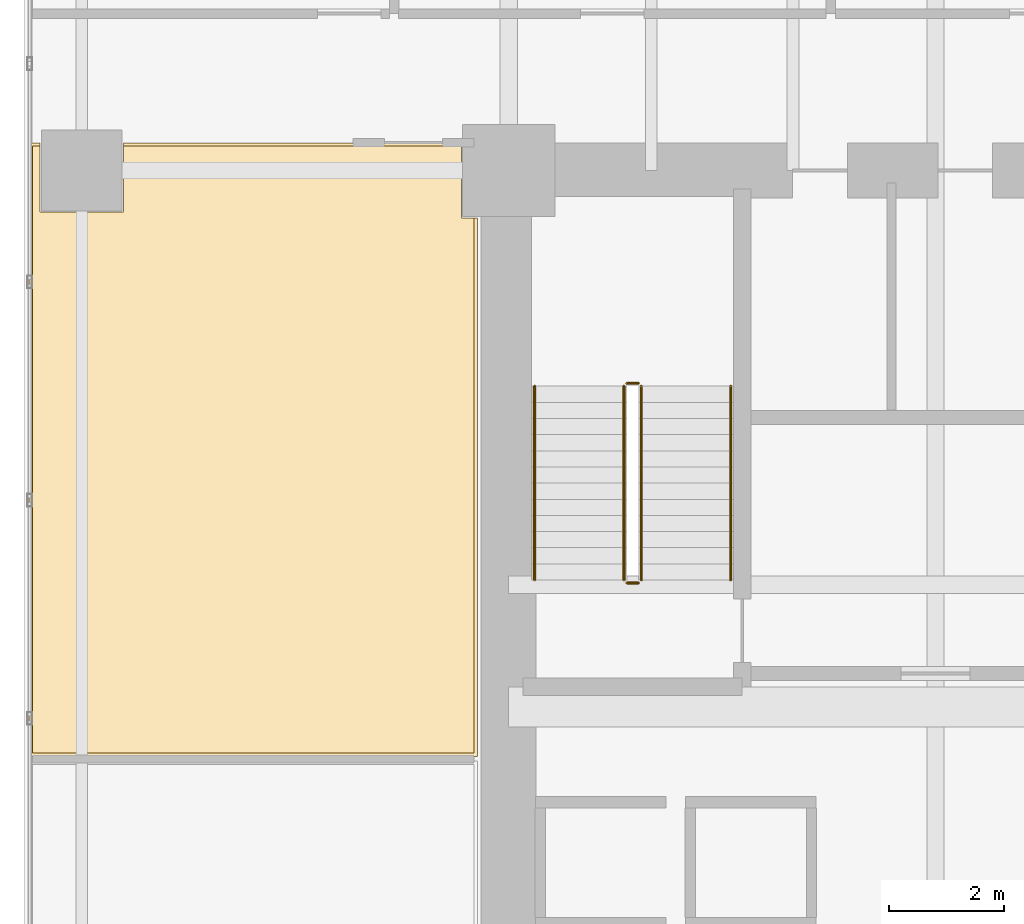
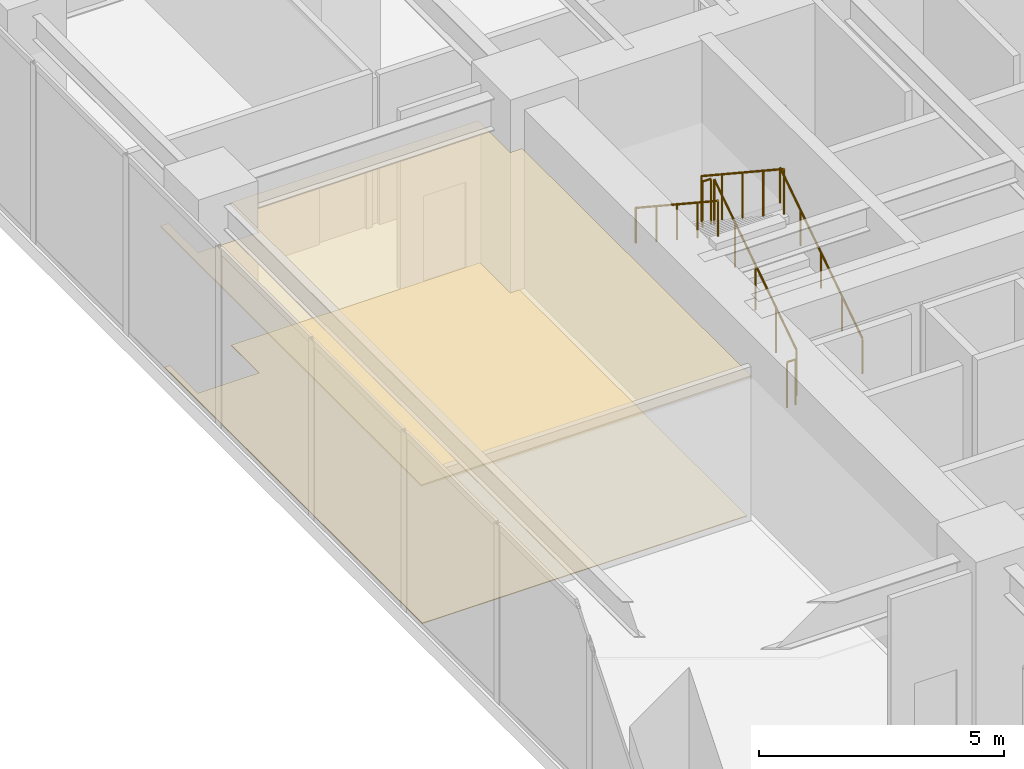
# One storey, part 36 of 39: 6 railings, 2 coverings.
"""IFC4 building model written with IfcOpenShell, lengths in metres."""

from ifc_helpers import new_model, si_unit, direction, frame, origin, origin_2d, place, context, subcontext, project, spatial, polyline, circle, outline, extrude, source, transform, mapped, material, layer, layer_set, type_object, type_shapes, element, save


model = new_model("IFC4")

# Units and contexts
model_context = context("Model", 3, precision=1e-05, world=origin(), true_north=direction((0.0, 1.0)))
body_context = subcontext(model_context, "Body", "Model", "MODEL_VIEW")
ifc_project = project(units=[si_unit("LENGTHUNIT", "METRE"), si_unit("AREAUNIT", "SQUARE_METRE"), si_unit("VOLUMEUNIT", "CUBIC_METRE"), si_unit("PLANEANGLEUNIT", "RADIAN"), si_unit("MASSUNIT", "GRAM", prefix="KILO")], contexts=[model_context])

# Site, building, storey
site_placement = place(None, origin())
site = spatial("IfcSite", under=ifc_project, at=site_placement, CompositionType="ELEMENT")
building_placement = place(site_placement, origin())
building = spatial("IfcBuilding", under=site, at=building_placement, Name="Haelvirn Gate Laboratories", CompositionType="ELEMENT")
storey_placement = place(building_placement, frame((0.0, 0.0, 15.0)))
storey = spatial("IfcBuildingStorey", under=building, at=storey_placement, Name="L04", CompositionType="ELEMENT", Elevation=15.0)

# Coverings
ifc_material_1 = material(Name="Micro-perforated acoustic mineral-fibre laboratory ceiling")
ifc_layer_1 = layer(ifc_material_1, 0.0400390625, Name="COV-CEIL-ACT")
ifc_layer_set_1 = layer_set([ifc_layer_1], Name="Micro-perforated acoustic mineral-fibre laboratory ceiling")
covering_type_1 = type_object("IfcCoveringType", Name="COV-CEIL-ACT", PredefinedType="CEILING", material=ifc_layer_set_1)
covering_1_placement = place(storey_placement, frame((0.0, 0.0, 3.47998046875)))
element("IfcCovering", 1, at=covering_1_placement, inside=storey, type_object=covering_type_1, Name="L04 Laboratory Acoustic Ceiling CEIL-SP-L04-PODOUT-W-N", PredefinedType="CEILING", context=body_context, shape_type="SweptSolid", body=[
    extrude(outline(polyline([(6.580078125, 34.280029296875), (6.580078125, 32.97998046875), (6.860107421875, 32.97998046875), (6.860107421875, 23.639892578125), (-0.909912109375, 23.639892578125), (-0.909912109375, 34.280029296875), (-0.719970703125, 34.280029296875), (-0.719970703125, 33.080078125), (0.719970703125, 33.080078125), (0.719970703125, 34.280029296875), (6.580078125, 34.280029296875)])), origin(), (0.0, 0.0, 1.0), 0.0400390625),
])
ifc_material_2 = material(Name="Seamless chemical-resistant epoxy laboratory flooring")
ifc_layer_2 = layer(ifc_material_2, 0.01806640625, Name="COV-FLR-RESIN")
ifc_layer_set_2 = layer_set([ifc_layer_2], Name="Seamless chemical-resistant epoxy laboratory flooring")
covering_type_2 = type_object("IfcCoveringType", Name="COV-FLR-RESIN", PredefinedType="FLOORING", material=ifc_layer_set_2)
covering_2_placement = place(storey_placement, origin())
element("IfcCovering", 2, at=covering_2_placement, inside=storey, type_object=covering_type_2, Name="L04 Seamless Laboratory Flooring FLR-SP-L04-PODOUT-W-N", PredefinedType="FLOORING", context=body_context, shape_type="SweptSolid", body=[
    extrude(outline(polyline([(-0.719970703125, 33.080078125), (0.719970703125, 33.080078125), (0.719970703125, 34.219970703125), (6.580078125, 34.219970703125), (6.580078125, 32.97998046875), (6.800048828125, 32.97998046875), (6.800048828125, 23.699951171875), (-0.85009765625, 23.699951171875), (-0.85009765625, 34.219970703125), (-0.719970703125, 34.219970703125), (-0.719970703125, 33.080078125)])), origin(), (0.0, 0.0, 1.0), 0.01806640625),
])

# Railings
ifc_material_3 = material(Name="Galvanised steel SM355 & stainless top rail", Category="steel")
railing_type_1 = type_object("IfcRailingType", Name="RL-GUARD-1150", PredefinedType="GUARDRAIL", material=ifc_material_3)
shared_shape_1 = source(origin(), body_context, "Body", "SweptSolid", [
    extrude(circle(Radius=0.02392578125, at=origin_2d()), frame((0.0, 0.0, 1.1259765625), z_axis=(0.0, 0.834876476806, 0.550437342915), x_axis=(-1.0, 0.0, 0.0)), (0.0, 0.0, 1.0), 4.024658203125),
    extrude(circle(Radius=0.02099609375, at=origin_2d()), origin(), (0.0, 0.0, 1.0), 1.101806640625),
    extrude(circle(Radius=0.02099609375, at=origin_2d()), frame((0.0, 0.840087890625, 0.5537109375)), (0.0, 0.0, 1.0), 1.101806640625),
    extrude(circle(Radius=0.02099609375, at=origin_2d()), frame((0.0, 1.68017578125, 1.107666015625)), (0.0, 0.0, 1.0), 1.101806640625),
    extrude(circle(Radius=0.02099609375, at=origin_2d()), frame((0.0, 2.52001953125, 1.66162109375)), (0.0, 0.0, 1.0), 1.101806640625),
    extrude(circle(Radius=0.02099609375, at=origin_2d()), frame((0.0, 3.360107421875, 2.21533203125)), (0.0, 0.0, 1.0), 1.101806640625),
])
railing_1_placement = place(storey_placement, frame((9.699951171875, 26.699951171875, 0.1845703125)))
element("IfcRailing", 3, at=railing_1_placement, inside=storey, type_object=railing_type_1, Name="L04 ST1 stair guard 1", PredefinedType="GUARDRAIL", context=body_context, shape_type="MappedRepresentation", body=[
    mapped(shared_shape_1, transform((0.0, 0.0, 0.0), scale=1.0)),
])
shared_shape_2 = source(origin(), body_context, "Body", "SweptSolid", [
    extrude(circle(Radius=0.02392578125, at=origin_2d()), frame((0.0, 0.0, 1.1259765625), z_axis=(-1.0, 0.0, 0.0), x_axis=(0.0, -1.0, 0.0)), (0.0, 0.0, 1.0), 0.199951171875),
    extrude(circle(Radius=0.02099609375, at=origin_2d()), origin(), (0.0, 0.0, 1.0), 1.101806640625),
    extrude(circle(Radius=0.02099609375, at=origin_2d()), frame((-0.199951171875, 0.0, 0.0)), (0.0, 0.0, 1.0), 1.101806640625),
])
for number, where, name in (
    (4, (9.64990234375, 30.110107421875, 2.39990234375), "L04 ST1 stair guard 2"),
    (5, (9.64990234375, 26.64990234375, 0.0), "L04 ST1 stair guard 4"),
):
    element("IfcRailing", number, at=place(storey_placement, frame(where)), inside=storey, type_object=railing_type_1, Name=name, PredefinedType="GUARDRAIL", context=body_context, shape_type="MappedRepresentation", body=[
        mapped(shared_shape_2, transform((0.0, 0.0, 0.0), scale=1.0)),
    ])
shared_shape_3 = source(origin(), body_context, "Body", "SweptSolid", [
    extrude(circle(Radius=0.02392578125, at=origin_2d()), frame((0.0, 0.0, 1.1259765625), z_axis=(0.0, -0.834876476806, 0.550437342915), x_axis=(1.0, 0.0, 0.0)), (0.0, 0.0, 1.0), 4.024658203125),
    extrude(circle(Radius=0.02099609375, at=origin_2d()), origin(), (0.0, 0.0, 1.0), 1.101806640625),
    extrude(circle(Radius=0.02099609375, at=origin_2d()), frame((0.0, -0.840087890625, 0.5537109375)), (0.0, 0.0, 1.0), 1.101806640625),
    extrude(circle(Radius=0.02099609375, at=origin_2d()), frame((0.0, -1.68017578125, 1.107666015625)), (0.0, 0.0, 1.0), 1.101806640625),
    extrude(circle(Radius=0.02099609375, at=origin_2d()), frame((0.0, -2.52001953125, 1.66162109375)), (0.0, 0.0, 1.0), 1.101806640625),
    extrude(circle(Radius=0.02099609375, at=origin_2d()), frame((0.0, -3.360107421875, 2.21533203125)), (0.0, 0.0, 1.0), 1.101806640625),
])
type_shapes(railing_type_1, [shared_shape_1, shared_shape_2, shared_shape_3])
railing_2_placement = place(storey_placement, frame((9.39990234375, 30.06005859375, 2.584716796875)))
element("IfcRailing", 6, at=railing_2_placement, inside=storey, type_object=railing_type_1, Name="L04 ST1 stair guard 3", PredefinedType="GUARDRAIL", context=body_context, shape_type="MappedRepresentation", body=[
    mapped(shared_shape_3, transform((0.0, 0.0, 0.0), scale=1.0)),
])
ifc_material_4 = material(Name="Brushed stainless steel 316L", Category="steel")
railing_type_2 = type_object("IfcRailingType", Name="RL-HAND-920", PredefinedType="HANDRAIL", material=ifc_material_4)
shared_shape_4 = source(origin(), body_context, "Body", "SweptSolid", [
    extrude(circle(Radius=0.02392578125, at=origin_2d()), frame((0.0, 0.0, 0.8759765625), z_axis=(0.0, 0.834876476806, 0.550437342915), x_axis=(-1.0, 0.0, 0.0)), (0.0, 0.0, 1.0), 4.024658203125),
    extrude(circle(Radius=0.02099609375, at=origin_2d()), origin(), (0.0, 0.0, 1.0), 0.851806640625),
    extrude(circle(Radius=0.02099609375, at=origin_2d()), frame((0.0, 0.840087890625, 0.5537109375)), (0.0, 0.0, 1.0), 0.851806640625),
    extrude(circle(Radius=0.02099609375, at=origin_2d()), frame((0.0, 1.68017578125, 1.107666015625)), (0.0, 0.0, 1.0), 0.851806640625),
    extrude(circle(Radius=0.02099609375, at=origin_2d()), frame((0.0, 2.52001953125, 1.66162109375)), (0.0, 0.0, 1.0), 0.851806640625),
    extrude(circle(Radius=0.02099609375, at=origin_2d()), frame((0.0, 3.360107421875, 2.21533203125)), (0.0, 0.0, 1.0), 0.851806640625),
])
railing_3_placement = place(storey_placement, frame((11.25, 26.699951171875, 0.1845703125)))
element("IfcRailing", 7, at=railing_3_placement, inside=storey, type_object=railing_type_2, Name="L04 ST1 stair handrail 1", PredefinedType="HANDRAIL", context=body_context, shape_type="MappedRepresentation", body=[
    mapped(shared_shape_4, transform((0.0, 0.0, 0.0), scale=1.0)),
])
shared_shape_5 = source(origin(), body_context, "Body", "SweptSolid", [
    extrude(circle(Radius=0.02392578125, at=origin_2d()), frame((0.0, 0.0, 0.8759765625), z_axis=(0.0, -0.834876476806, 0.550437342915), x_axis=(1.0, 0.0, 0.0)), (0.0, 0.0, 1.0), 4.024658203125),
    extrude(circle(Radius=0.02099609375, at=origin_2d()), origin(), (0.0, 0.0, 1.0), 0.851806640625),
    extrude(circle(Radius=0.02099609375, at=origin_2d()), frame((0.0, -0.840087890625, 0.5537109375)), (0.0, 0.0, 1.0), 0.851806640625),
    extrude(circle(Radius=0.02099609375, at=origin_2d()), frame((0.0, -1.68017578125, 1.107666015625)), (0.0, 0.0, 1.0), 0.851806640625),
    extrude(circle(Radius=0.02099609375, at=origin_2d()), frame((0.0, -2.52001953125, 1.66162109375)), (0.0, 0.0, 1.0), 0.851806640625),
    extrude(circle(Radius=0.02099609375, at=origin_2d()), frame((0.0, -3.360107421875, 2.21533203125)), (0.0, 0.0, 1.0), 0.851806640625),
])
type_shapes(railing_type_2, [shared_shape_4, shared_shape_5])
railing_4_placement = place(storey_placement, frame((7.85009765625, 30.06005859375, 2.584716796875)))
element("IfcRailing", 8, at=railing_4_placement, inside=storey, type_object=railing_type_2, Name="L04 ST1 stair handrail 2", PredefinedType="HANDRAIL", context=body_context, shape_type="MappedRepresentation", body=[
    mapped(shared_shape_5, transform((0.0, 0.0, 0.0), scale=1.0)),
])

save(model, "model.ifc")
